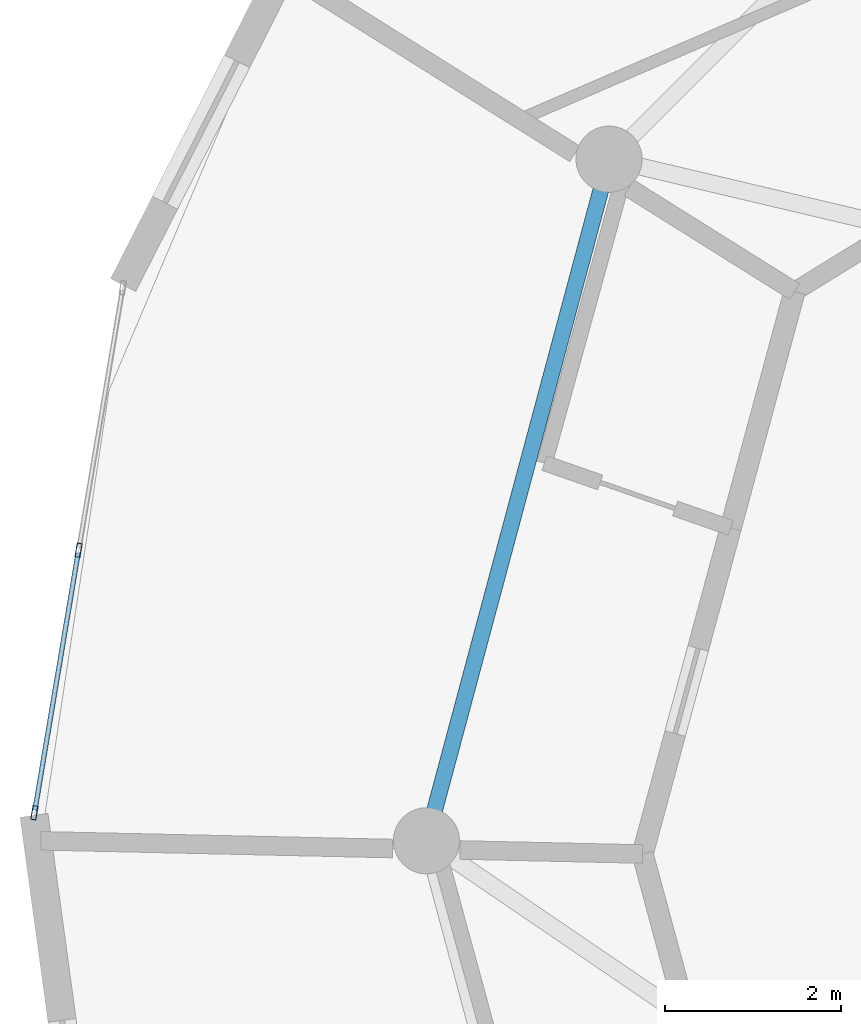
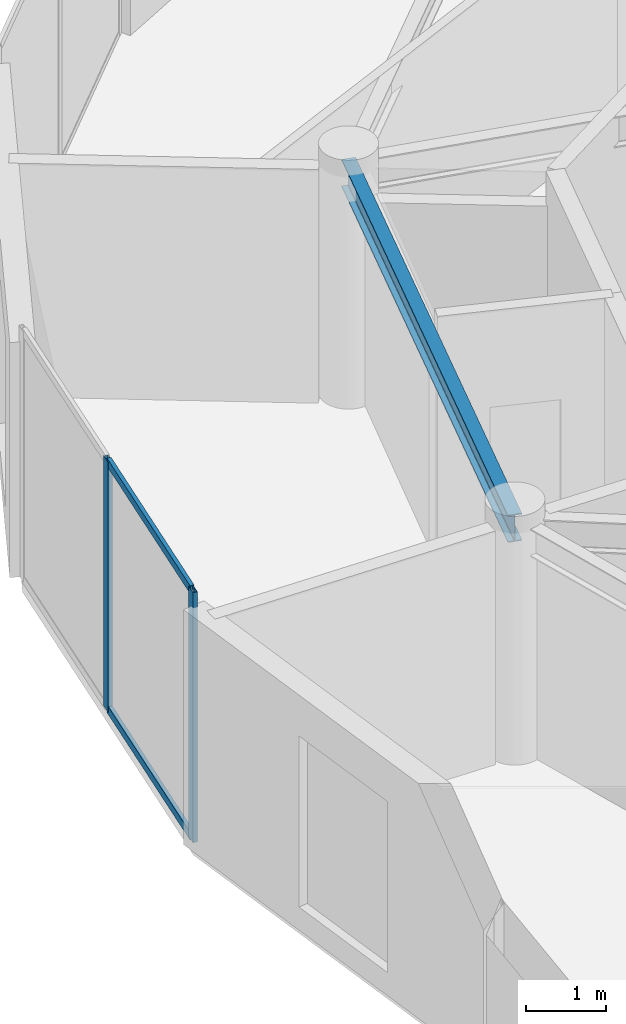
# One storey, part 7 of 23: 4 members, 1 beam, 1 element without a shape of its own.
"""IFC4 building model written with IfcOpenShell, lengths in metres."""

import ifcopenshell
import ifcopenshell.guid

model = None  # the IFC model being written
_history = None  # IfcOwnerHistory: only IFC2X3 demands one
_inside = {}  # id of a spatial element -> (the spatial element, [elements in it])
_under = {}  # id of a project, library or spatial element -> (it, [spatial elements below it])
_declared = {}  # id of a project -> (the project, [libraries it declares])
_typed = {}  # id of a type object -> (the type object, [elements of that type])
_made_of = {}  # id of a material, layer set ... -> (it, [elements and type objects made of it])


def new_model(schema):
    """Start an empty IFC model of exactly this schema.

    Asked for "IFC4X3", IfcOpenShell would pick the latest addendum, in which some entities
    have other attributes; the version numbers below select the first issue.
    IFC2X3 requires an IfcOwnerHistory on every rooted entity: one is made here for all.
    """
    global model, _history
    if schema == "IFC4X3":
        model = ifcopenshell.file(schema_version=(4, 3, 0, 0))
    else:
        model = ifcopenshell.file(schema=schema)
    _inside.clear()
    _under.clear()
    _declared.clear()
    _typed.clear()
    _made_of.clear()
    _history = None
    if model.schema == "IFC2X3":
        org = make("IfcOrganization", Name="unknown")
        user = make(
            "IfcPersonAndOrganization",
            ThePerson=make("IfcPerson", FamilyName="unknown"),
            TheOrganization=org,
        )
        app = make(
            "IfcApplication",
            ApplicationDeveloper=org,
            Version="unknown",
            ApplicationFullName="unknown",
            ApplicationIdentifier="unknown",
        )
        _history = make(
            "IfcOwnerHistory",
            OwningUser=user,
            OwningApplication=app,
            ChangeAction="ADDED",
            CreationDate=0,
        )
    return model


def make(cls, **values):
    """One entity of the class cls with the attributes given. An attribute that is None is left unset."""
    return model.create_entity(
        cls, **{name: value for name, value in values.items() if value is not None}
    )


def rooted(cls, **values):
    """An entity with a GlobalId (a new one), such as an element, a storey or a relation."""
    return make(cls, GlobalId=ifcopenshell.guid.new(), OwnerHistory=_history, **values)


def si_unit(unit_type, name, prefix=None):
    """IfcSIUnit, for example si_unit("LENGTHUNIT", "METRE", prefix="MILLI")."""
    return make("IfcSIUnit", UnitType=unit_type, Prefix=prefix, Name=name)


def assignment(units):
    """IfcUnitAssignment: the units of a project."""
    return None if units is None else make("IfcUnitAssignment", Units=units)


def point(xyz):
    """IfcCartesianPoint."""
    return None if xyz is None else make("IfcCartesianPoint", Coordinates=xyz)


def direction(xyz):
    """IfcDirection."""
    return None if xyz is None else make("IfcDirection", DirectionRatios=xyz)


def frame(location, z_axis=None, x_axis=None):
    """IfcAxis2Placement3D, a coordinate frame: its origin and axes. An axis left out is left unset."""
    return make(
        "IfcAxis2Placement3D",
        Location=point(location),
        Axis=direction(z_axis),
        RefDirection=direction(x_axis),
    )


def frame_2d(location, x_axis=None):
    """IfcAxis2Placement2D, a coordinate frame in the plane: its origin and x axis."""
    return make(
        "IfcAxis2Placement2D", Location=point(location), RefDirection=direction(x_axis)
    )


def origin():
    """The frame at (0, 0, 0) with its axes left unset."""
    return frame((0.0, 0.0, 0.0))


def origin_2d():
    """The frame at (0, 0) in the plane with its x axis left unset."""
    return frame_2d((0.0, 0.0))


def place(relative_to, where):
    """IfcLocalPlacement: puts the frame where relative to a parent placement (None: the world)."""
    return make(
        "IfcLocalPlacement", PlacementRelTo=relative_to, RelativePlacement=where
    )


def context(
    kind, dimensions, precision=None, world=None, true_north=None, identifier=None
):
    """IfcGeometricRepresentationContext, for example the 3D "Model" context."""
    return make(
        "IfcGeometricRepresentationContext",
        ContextIdentifier=identifier,
        ContextType=kind,
        CoordinateSpaceDimension=dimensions,
        Precision=precision,
        WorldCoordinateSystem=world,
        TrueNorth=true_north,
    )


def subcontext(parent, identifier, kind, view, scale=None):
    """IfcGeometricRepresentationSubContext, for example "Body" below "Model"."""
    return make(
        "IfcGeometricRepresentationSubContext",
        ContextIdentifier=identifier,
        ContextType=kind,
        ParentContext=parent,
        TargetScale=scale,
        TargetView=view,
    )


def project(units=None, contexts=None):
    """IfcProject with its units and contexts."""
    return rooted(
        "IfcProject",
        Name="project",
        RepresentationContexts=contexts,
        UnitsInContext=assignment(units),
    )


def spatial(cls, under=None, at=None, **own):
    """A site, building, storey or space (cls), placed at a placement, below another one or the project."""
    s = rooted(cls, ObjectPlacement=at, **own)
    if under is not None:
        _under.setdefault(under.id(), (under, []))[1].append(s)
    return s


def profile(cls, at=None, kind="AREA", **sizes):
    """A parametric profile (cls). Its sizes go by their IFC names, for example OverallWidth=200.0."""
    return make(cls, ProfileType=kind, Position=at, **sizes)


def hollow_rectangle(**sizes):
    """IfcRectangleHollowProfileDef."""
    return profile("IfcRectangleHollowProfileDef", **sizes)


def i_section(**sizes):
    """IfcIShapeProfileDef."""
    return profile("IfcIShapeProfileDef", **sizes)


def extrude(swept, where, along, depth):
    """IfcExtrudedAreaSolid: the profile swept, set in the frame where, extruded along a direction by depth."""
    return make(
        "IfcExtrudedAreaSolid",
        SweptArea=swept,
        Position=where,
        ExtrudedDirection=direction(along),
        Depth=depth,
    )


def shape(context_of_items, identifier, shape_type, items):
    """IfcShapeRepresentation: the items that make up one representation, for example the "Body"."""
    return make(
        "IfcShapeRepresentation",
        ContextOfItems=context_of_items,
        RepresentationIdentifier=identifier,
        RepresentationType=shape_type,
        Items=items,
    )


def source(mapping_origin, context_of_items, identifier, shape_type, items):
    """IfcRepresentationMap: a shape defined once, which mapped items show again and again."""
    return make(
        "IfcRepresentationMap",
        MappingOrigin=mapping_origin,
        MappedRepresentation=shape(context_of_items, identifier, shape_type, items),
    )


def transform(
    local_origin,
    x_axis=None,
    y_axis=None,
    z_axis=None,
    scale=None,
    scale2=None,
    scale3=None,
    uniform=True,
):
    """IfcCartesianTransformationOperator3D, or its non-uniform kind. x_axis, y_axis, z_axis: its Axis1, 2, 3."""
    if uniform:
        return make(
            "IfcCartesianTransformationOperator3D",
            Axis1=direction(x_axis),
            Axis2=direction(y_axis),
            LocalOrigin=point(local_origin),
            Scale=scale,
            Axis3=direction(z_axis),
        )
    return make(
        "IfcCartesianTransformationOperator3DnonUniform",
        Axis1=direction(x_axis),
        Axis2=direction(y_axis),
        LocalOrigin=point(local_origin),
        Scale=scale,
        Axis3=direction(z_axis),
        Scale2=scale2,
        Scale3=scale3,
    )


def mapped(mapping_source, mapping_target):
    """IfcMappedItem: shows the shape of a source again, moved by a transform."""
    return make(
        "IfcMappedItem", MappingSource=mapping_source, MappingTarget=mapping_target
    )


def material(Name=None, Category=None):
    """IfcMaterial."""
    return make("IfcMaterial", Name=Name, Category=Category)


def layer(
    of_material, thickness, ventilated=None, Name=None, Category=None, Priority=None
):
    """IfcMaterialLayer: one layer of a wall or slab, of a material (None: an air gap)."""
    return make(
        "IfcMaterialLayer",
        Material=of_material,
        LayerThickness=thickness,
        IsVentilated=ventilated,
        Name=Name,
        Category=Category,
        Priority=Priority,
    )


def layer_set(layers, Name=None):
    """IfcMaterialLayerSet."""
    return make("IfcMaterialLayerSet", MaterialLayers=layers, LayerSetName=Name)


def material_profile(
    of_material, cross_section, Name=None, Category=None, Priority=None
):
    """IfcMaterialProfile: a cross section and its material."""
    return make(
        "IfcMaterialProfile",
        Name=Name,
        Material=of_material,
        Profile=cross_section,
        Priority=Priority,
        Category=Category,
    )


def profile_set(profiles, Name=None, composite=None):
    """IfcMaterialProfileSet."""
    return make(
        "IfcMaterialProfileSet",
        Name=Name,
        MaterialProfiles=profiles,
        CompositeProfile=composite,
    )


def made_of(thing, what):
    """Note that an element or type object is made of a material, layer set ...; save() writes the relation."""
    if what is not None:
        _made_of.setdefault(what.id(), (what, []))[1].append(thing)
    return thing


def type_object(cls, material=None, **own):
    """A type object (cls), such as IfcWallType, which elements share."""
    return made_of(rooted(cls, **own), material)


def element(
    cls,
    number,
    at=None,
    inside=None,
    cuts=None,
    type_object=None,
    material=None,
    context=None,
    identifier="Body",
    shape_type=None,
    held_by="IfcProductDefinitionShape",
    body=None,
    shapes=None,
    **own,
):
    """One element of the class cls, such as IfcWall. Its Tag is "e" and its number.

    at: its placement. inside: the storey or other place that contains it. cuts: it is an
    opening in that element (IfcRelVoidsElement). A single representation is given by context,
    identifier, shape_type and body (its items); several are given by shapes. held_by: the class
    of the entity that holds the representations. save() writes the other relations.
    """
    e = rooted(cls, Tag="e%d" % number, ObjectPlacement=at, **own)
    if body is not None:
        shapes = [shape(context, identifier, shape_type, body)]
    if shapes is not None:
        e.Representation = make(held_by, Representations=shapes)
    if inside is not None:
        _inside.setdefault(inside.id(), (inside, []))[1].append(e)
    if cuts is not None:
        rooted(
            "IfcRelVoidsElement", RelatingBuildingElement=cuts, RelatedOpeningElement=e
        )
    if type_object is not None:
        _typed.setdefault(type_object.id(), (type_object, []))[1].append(e)
    return made_of(e, material)


def aggregate(whole, parts):
    """IfcRelAggregates: a whole, such as a stair, and the parts it consists of."""
    return rooted("IfcRelAggregates", RelatingObject=whole, RelatedObjects=parts)


def save(model, path):
    """Write the relations noted so far, then the file.

    IfcRelAggregates (storeys below a building ...), IfcRelContainedInSpatialStructure (elements
    in a storey), IfcRelDefinesByType, IfcRelAssociatesMaterial and IfcRelDeclares: one each for
    every whole, place, type object, material and project.
    """
    for whole, parts in _under.values():
        aggregate(whole, parts)
    for where, things in _inside.values():
        rooted(
            "IfcRelContainedInSpatialStructure",
            RelatedElements=things,
            RelatingStructure=where,
        )
    for kind, things in _typed.values():
        rooted("IfcRelDefinesByType", RelatedObjects=things, RelatingType=kind)
    for what, things in _made_of.values():
        rooted("IfcRelAssociatesMaterial", RelatedObjects=things, RelatingMaterial=what)
    for by, libraries in _declared.values():
        rooted("IfcRelDeclares", RelatingContext=by, RelatedDefinitions=libraries)
    model.write(path)


model = new_model("IFC4")

# Units and contexts
model_context = context("Model", 3, precision=1e-05, world=origin(), true_north=direction((0.0, 1.0)))
body_context = subcontext(model_context, "Body", "Model", "MODEL_VIEW")
ifc_project = project(units=[si_unit("LENGTHUNIT", "METRE"), si_unit("AREAUNIT", "SQUARE_METRE"), si_unit("VOLUMEUNIT", "CUBIC_METRE"), si_unit("PLANEANGLEUNIT", "RADIAN"), si_unit("MASSUNIT", "GRAM", prefix="KILO")], contexts=[model_context])

# Site, building, storey
site_placement = place(None, origin())
site = spatial("IfcSite", under=ifc_project, at=site_placement, CompositionType="ELEMENT")
building_placement = place(site_placement, origin())
building = spatial("IfcBuilding", under=site, at=building_placement, Name="Solvirekh Grand Hotel", CompositionType="ELEMENT")
storey_placement = place(building_placement, frame((0.0, 0.0, 282.0)))
storey = spatial("IfcBuildingStorey", under=building, at=storey_placement, Name="L73", CompositionType="ELEMENT", Elevation=282.0)

# Beam
ifc_material_1 = material(Name="Steel S355", Category="steel")
ifc_material_profile_1 = material_profile(ifc_material_1, i_section(OverallWidth=0.180908203125, OverallDepth=0.4169921875, WebThickness=0.010009765625, FlangeThickness=0.01611328125, FilletRadius=0.011962890625, at=origin_2d()), Name="W410X85")
ifc_profile_set_1 = profile_set([ifc_material_profile_1], Name="Steel S355")
beam_type = type_object("IfcBeamType", Name="Spandrel_Ring_W410", PredefinedType="SPANDREL", material=ifc_profile_set_1)
beam_placement = place(storey_placement, frame((-13.3798828125, 7.72509765625, 3.361083984375), z_axis=(-0.258834757072, -0.965921616143, 0.0), x_axis=(0.965921616143, -0.258834757072, 0.0)))
element("IfcBeam", 1, at=beam_placement, inside=storey, type_object=beam_type, Name="L73 perimeter spandrel beam 6", PredefinedType="SPANDREL", context=body_context, shape_type="SweptSolid", body=[
    extrude(i_section(OverallWidth=0.180908203125, OverallDepth=0.4169921875, WebThickness=0.010009765625, FlangeThickness=0.01611328125, FilletRadius=0.011962890625, at=origin_2d()), origin(), (0.0, 0.0, 1.0), 7.99755859375),
])

# Curtain wall, members
ifc_material_2 = material(Name="Anodized Bronze Aluminium 6063-T6", Category="aluminium")
ifc_layer = layer(ifc_material_2, 0.159912109375)
ifc_layer_set = layer_set([ifc_layer], Name="Anodized Bronze Aluminium 6063-T6")
curtain_wall_type = type_object("IfcCurtainWallType", Name="CW_Sys4_HighZoneFlushBronzeCW", PredefinedType="NOTDEFINED", material=ifc_layer_set)
curtain_wall_placement = place(storey_placement, origin())
curtain_wall = element("IfcCurtainWall", 2, at=curtain_wall_placement, inside=storey, type_object=curtain_wall_type, Name="L73 unitised bronze-glass curtain wall CW-L73-C15", PredefinedType="NOTDEFINED")
ifc_material_profile_2 = material_profile(ifc_material_2, hollow_rectangle(XDim=0.06005859375, YDim=0.159912109375, WallThickness=0.0048828125, at=origin_2d()), Name="ALU RHS 160X60X5")
ifc_profile_set_2 = profile_set([ifc_material_profile_2], Name="Anodized Bronze Aluminium 6063-T6")
member_type_1 = type_object("IfcMemberType", Name="CWMullion_Sys4", PredefinedType="MULLION", material=ifc_profile_set_2)
shared_shape_1 = source(origin(), body_context, "Body", "SweptSolid", [
    extrude(hollow_rectangle(XDim=0.06005859375, YDim=0.159912109375, WallThickness=0.0048828125, at=origin_2d()), origin(), (0.0, 0.0, 1.0), 3.800048828125),
])
member_1_placement = place(storey_placement, frame((-19.39306640625, 3.29345703125, 0.0), z_axis=(0.0, 0.0, 1.0), x_axis=(0.986175791289, -0.165702470338, 0.0)))
member_1 = element("IfcMember", 3, at=member_1_placement, type_object=member_type_1, Name="U04 mullion 2", PredefinedType="MULLION", context=body_context, shape_type="MappedRepresentation", body=[
    mapped(shared_shape_1, transform((0.0, 0.0, 0.0), x_axis=(1.0, 0.0, 0.0), y_axis=(0.0, 1.0, 0.0), z_axis=(0.0, 0.0, 1.0), scale=1.0)),
])
member_2_placement = place(storey_placement, frame((-19.89306640625, 0.317626953125, 0.0), z_axis=(0.0, 0.0, 1.0), x_axis=(0.986175791289, -0.165702470338, 0.0)))
member_2 = element("IfcMember", 4, at=member_2_placement, type_object=member_type_1, Name="U04 mullion 3", PredefinedType="MULLION", context=body_context, shape_type="MappedRepresentation", body=[
    mapped(shared_shape_1, transform((0.0, 0.0, 0.0), x_axis=(1.0, 0.0, 0.0), y_axis=(0.0, 1.0, 0.0), z_axis=(0.0, 0.0, 1.0), scale=1.0)),
])
ifc_material_profile_3 = material_profile(ifc_material_2, hollow_rectangle(XDim=0.054931640625, YDim=0.1201171875, WallThickness=0.00390625, at=origin_2d()), Name="ALU RHS 120X55X4")
ifc_profile_set_3 = profile_set([ifc_material_profile_3], Name="Anodized Bronze Aluminium 6063-T6")
member_type_2 = type_object("IfcMemberType", Name="CWTransom_Sys4", PredefinedType="USERDEFINED", material=ifc_profile_set_3)
shared_shape_2 = source(origin(), body_context, "Body", "SweptSolid", [
    extrude(hollow_rectangle(XDim=0.054931640625, YDim=0.1201171875, WallThickness=0.00390625, at=origin_2d()), origin(), (0.0, 0.0, 1.0), 2.95751953125),
])
member_3_placement = place(storey_placement, frame((-19.39794921875, 3.263916015625, 0.027587890625), z_axis=(-0.165670510566, -0.986181160806, 0.0), x_axis=(0.986181160806, -0.165670510566, 0.0)))
member_3 = element("IfcMember", 5, at=member_3_placement, type_object=member_type_2, Name="U04 transom 2.1", ObjectType="TRANSOM", PredefinedType="USERDEFINED", context=body_context, shape_type="MappedRepresentation", body=[
    mapped(shared_shape_2, transform((0.0, 0.0, 0.0), x_axis=(1.0, 0.0, 0.0), y_axis=(0.0, 1.0, 0.0), z_axis=(0.0, 0.0, 1.0), scale=1.0)),
])
member_4_placement = place(storey_placement, frame((-19.39794921875, 3.263916015625, 3.7724609375), z_axis=(-0.165670510566, -0.986181160806, 0.0), x_axis=(0.986181160806, -0.165670510566, 0.0)))
member_4 = element("IfcMember", 6, at=member_4_placement, type_object=member_type_2, Name="U04 transom 2.2", ObjectType="TRANSOM", PredefinedType="USERDEFINED", context=body_context, shape_type="MappedRepresentation", body=[
    mapped(shared_shape_2, transform((0.0, 0.0, 0.0), x_axis=(1.0, 0.0, 0.0), y_axis=(0.0, 1.0, 0.0), z_axis=(0.0, 0.0, 1.0), scale=1.0)),
])
aggregate(curtain_wall, [member_1, member_2, member_3, member_4])

save(model, "model.ifc")
